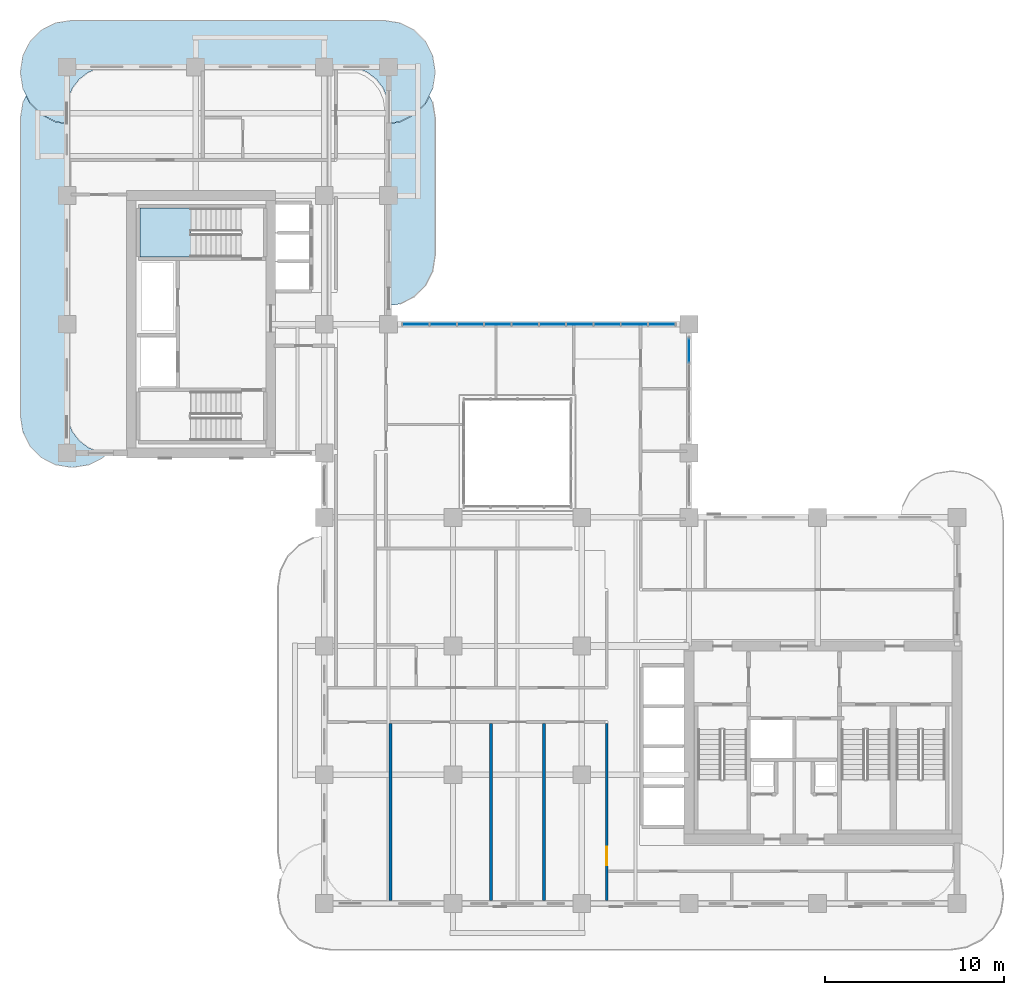
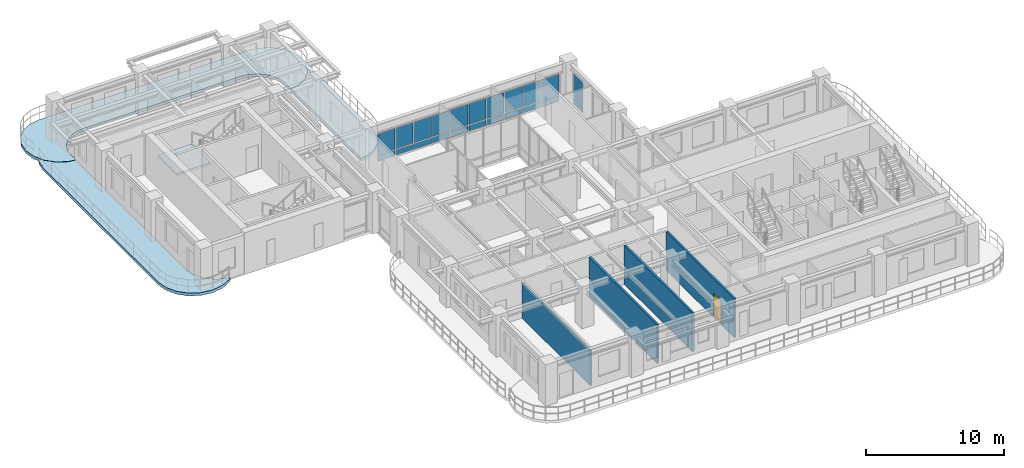
# One storey, part 10 of 20: 22 plates, 4 slabs, 4 walls, 1 door, 1 opening, 3 elements without a shape of their own.
"""IFC4 building model written with IfcOpenShell, lengths in metres."""

import ifcopenshell
import ifcopenshell.guid

model = None  # the IFC model being written
_history = None  # IfcOwnerHistory: only IFC2X3 demands one
_inside = {}  # id of a spatial element -> (the spatial element, [elements in it])
_under = {}  # id of a project, library or spatial element -> (it, [spatial elements below it])
_declared = {}  # id of a project -> (the project, [libraries it declares])
_typed = {}  # id of a type object -> (the type object, [elements of that type])
_made_of = {}  # id of a material, layer set ... -> (it, [elements and type objects made of it])


def new_model(schema):
    """Start an empty IFC model of exactly this schema.

    Asked for "IFC4X3", IfcOpenShell would pick the latest addendum, in which some entities
    have other attributes; the version numbers below select the first issue.
    IFC2X3 requires an IfcOwnerHistory on every rooted entity: one is made here for all.
    """
    global model, _history
    if schema == "IFC4X3":
        model = ifcopenshell.file(schema_version=(4, 3, 0, 0))
    else:
        model = ifcopenshell.file(schema=schema)
    _inside.clear()
    _under.clear()
    _declared.clear()
    _typed.clear()
    _made_of.clear()
    _history = None
    if model.schema == "IFC2X3":
        org = make("IfcOrganization", Name="unknown")
        user = make(
            "IfcPersonAndOrganization",
            ThePerson=make("IfcPerson", FamilyName="unknown"),
            TheOrganization=org,
        )
        app = make(
            "IfcApplication",
            ApplicationDeveloper=org,
            Version="unknown",
            ApplicationFullName="unknown",
            ApplicationIdentifier="unknown",
        )
        _history = make(
            "IfcOwnerHistory",
            OwningUser=user,
            OwningApplication=app,
            ChangeAction="ADDED",
            CreationDate=0,
        )
    return model


def make(cls, **values):
    """One entity of the class cls with the attributes given. An attribute that is None is left unset."""
    return model.create_entity(
        cls, **{name: value for name, value in values.items() if value is not None}
    )


def rooted(cls, **values):
    """An entity with a GlobalId (a new one), such as an element, a storey or a relation."""
    return make(cls, GlobalId=ifcopenshell.guid.new(), OwnerHistory=_history, **values)


def si_unit(unit_type, name, prefix=None):
    """IfcSIUnit, for example si_unit("LENGTHUNIT", "METRE", prefix="MILLI")."""
    return make("IfcSIUnit", UnitType=unit_type, Prefix=prefix, Name=name)


def derived_unit(unit_type, elements):
    """IfcDerivedUnit: a product of units, each with its exponent."""
    return make(
        "IfcDerivedUnit",
        Elements=[
            make("IfcDerivedUnitElement", Unit=unit, Exponent=power)
            for unit, power in elements
        ],
        UnitType=unit_type,
    )


def assignment(units):
    """IfcUnitAssignment: the units of a project."""
    return None if units is None else make("IfcUnitAssignment", Units=units)


def point(xyz):
    """IfcCartesianPoint."""
    return None if xyz is None else make("IfcCartesianPoint", Coordinates=xyz)


def direction(xyz):
    """IfcDirection."""
    return None if xyz is None else make("IfcDirection", DirectionRatios=xyz)


def frame(location, z_axis=None, x_axis=None):
    """IfcAxis2Placement3D, a coordinate frame: its origin and axes. An axis left out is left unset."""
    return make(
        "IfcAxis2Placement3D",
        Location=point(location),
        Axis=direction(z_axis),
        RefDirection=direction(x_axis),
    )


def frame_2d(location, x_axis=None):
    """IfcAxis2Placement2D, a coordinate frame in the plane: its origin and x axis."""
    return make(
        "IfcAxis2Placement2D", Location=point(location), RefDirection=direction(x_axis)
    )


def origin():
    """The frame at (0, 0, 0) with its axes left unset."""
    return frame((0.0, 0.0, 0.0))


def origin_2d():
    """The frame at (0, 0) in the plane with its x axis left unset."""
    return frame_2d((0.0, 0.0))


def place(relative_to, where):
    """IfcLocalPlacement: puts the frame where relative to a parent placement (None: the world)."""
    return make(
        "IfcLocalPlacement", PlacementRelTo=relative_to, RelativePlacement=where
    )


def context(
    kind, dimensions, precision=None, world=None, true_north=None, identifier=None
):
    """IfcGeometricRepresentationContext, for example the 3D "Model" context."""
    return make(
        "IfcGeometricRepresentationContext",
        ContextIdentifier=identifier,
        ContextType=kind,
        CoordinateSpaceDimension=dimensions,
        Precision=precision,
        WorldCoordinateSystem=world,
        TrueNorth=true_north,
    )


def subcontext(parent, identifier, kind, view, scale=None):
    """IfcGeometricRepresentationSubContext, for example "Body" below "Model"."""
    return make(
        "IfcGeometricRepresentationSubContext",
        ContextIdentifier=identifier,
        ContextType=kind,
        ParentContext=parent,
        TargetScale=scale,
        TargetView=view,
    )


def project(units=None, contexts=None):
    """IfcProject with its units and contexts."""
    return rooted(
        "IfcProject",
        Name="project",
        RepresentationContexts=contexts,
        UnitsInContext=assignment(units),
    )


def spatial(cls, under=None, at=None, **own):
    """A site, building, storey or space (cls), placed at a placement, below another one or the project."""
    s = rooted(cls, ObjectPlacement=at, **own)
    if under is not None:
        _under.setdefault(under.id(), (under, []))[1].append(s)
    return s


def polyline(points):
    """IfcPolyline through the points."""
    return make("IfcPolyline", Points=[point(p) for p in points])


def profile(cls, at=None, kind="AREA", **sizes):
    """A parametric profile (cls). Its sizes go by their IFC names, for example OverallWidth=200.0."""
    return make(cls, ProfileType=kind, Position=at, **sizes)


def rectangle(**sizes):
    """IfcRectangleProfileDef."""
    return profile("IfcRectangleProfileDef", **sizes)


def outline(outer, holes=None, kind="AREA"):
    """IfcArbitraryClosedProfileDef: a profile drawn as a closed curve; with holes, ...WithVoids."""
    if holes is None:
        return make("IfcArbitraryClosedProfileDef", ProfileType=kind, OuterCurve=outer)
    return make(
        "IfcArbitraryProfileDefWithVoids",
        ProfileType=kind,
        OuterCurve=outer,
        InnerCurves=holes,
    )


def extrude(swept, where, along, depth):
    """IfcExtrudedAreaSolid: the profile swept, set in the frame where, extruded along a direction by depth."""
    return make(
        "IfcExtrudedAreaSolid",
        SweptArea=swept,
        Position=where,
        ExtrudedDirection=direction(along),
        Depth=depth,
    )


def shape(context_of_items, identifier, shape_type, items):
    """IfcShapeRepresentation: the items that make up one representation, for example the "Body"."""
    return make(
        "IfcShapeRepresentation",
        ContextOfItems=context_of_items,
        RepresentationIdentifier=identifier,
        RepresentationType=shape_type,
        Items=items,
    )


def source(mapping_origin, context_of_items, identifier, shape_type, items):
    """IfcRepresentationMap: a shape defined once, which mapped items show again and again."""
    return make(
        "IfcRepresentationMap",
        MappingOrigin=mapping_origin,
        MappedRepresentation=shape(context_of_items, identifier, shape_type, items),
    )


def transform(
    local_origin,
    x_axis=None,
    y_axis=None,
    z_axis=None,
    scale=None,
    scale2=None,
    scale3=None,
    uniform=True,
):
    """IfcCartesianTransformationOperator3D, or its non-uniform kind. x_axis, y_axis, z_axis: its Axis1, 2, 3."""
    if uniform:
        return make(
            "IfcCartesianTransformationOperator3D",
            Axis1=direction(x_axis),
            Axis2=direction(y_axis),
            LocalOrigin=point(local_origin),
            Scale=scale,
            Axis3=direction(z_axis),
        )
    return make(
        "IfcCartesianTransformationOperator3DnonUniform",
        Axis1=direction(x_axis),
        Axis2=direction(y_axis),
        LocalOrigin=point(local_origin),
        Scale=scale,
        Axis3=direction(z_axis),
        Scale2=scale2,
        Scale3=scale3,
    )


def mapped(mapping_source, mapping_target):
    """IfcMappedItem: shows the shape of a source again, moved by a transform."""
    return make(
        "IfcMappedItem", MappingSource=mapping_source, MappingTarget=mapping_target
    )


def material(Name=None, Category=None):
    """IfcMaterial."""
    return make("IfcMaterial", Name=Name, Category=Category)


def layer(
    of_material, thickness, ventilated=None, Name=None, Category=None, Priority=None
):
    """IfcMaterialLayer: one layer of a wall or slab, of a material (None: an air gap)."""
    return make(
        "IfcMaterialLayer",
        Material=of_material,
        LayerThickness=thickness,
        IsVentilated=ventilated,
        Name=Name,
        Category=Category,
        Priority=Priority,
    )


def layer_set(layers, Name=None):
    """IfcMaterialLayerSet."""
    return make("IfcMaterialLayerSet", MaterialLayers=layers, LayerSetName=Name)


def made_of(thing, what):
    """Note that an element or type object is made of a material, layer set ...; save() writes the relation."""
    if what is not None:
        _made_of.setdefault(what.id(), (what, []))[1].append(thing)
    return thing


def type_object(cls, material=None, **own):
    """A type object (cls), such as IfcWallType, which elements share."""
    return made_of(rooted(cls, **own), material)


def type_shapes(of_type, sources):
    """Give a type object the sources (RepresentationMaps) that its elements show as mapped items."""
    of_type.RepresentationMaps = sources


def element(
    cls,
    number,
    at=None,
    inside=None,
    cuts=None,
    type_object=None,
    material=None,
    context=None,
    identifier="Body",
    shape_type=None,
    held_by="IfcProductDefinitionShape",
    body=None,
    shapes=None,
    **own,
):
    """One element of the class cls, such as IfcWall. Its Tag is "e" and its number.

    at: its placement. inside: the storey or other place that contains it. cuts: it is an
    opening in that element (IfcRelVoidsElement). A single representation is given by context,
    identifier, shape_type and body (its items); several are given by shapes. held_by: the class
    of the entity that holds the representations. save() writes the other relations.
    """
    e = rooted(cls, Tag="e%d" % number, ObjectPlacement=at, **own)
    if body is not None:
        shapes = [shape(context, identifier, shape_type, body)]
    if shapes is not None:
        e.Representation = make(held_by, Representations=shapes)
    if inside is not None:
        _inside.setdefault(inside.id(), (inside, []))[1].append(e)
    if cuts is not None:
        rooted(
            "IfcRelVoidsElement", RelatingBuildingElement=cuts, RelatedOpeningElement=e
        )
    if type_object is not None:
        _typed.setdefault(type_object.id(), (type_object, []))[1].append(e)
    return made_of(e, material)


def fill(opening, filler):
    """IfcRelFillsElement: the door or window that sits in an opening."""
    return rooted(
        "IfcRelFillsElement",
        RelatingOpeningElement=opening,
        RelatedBuildingElement=filler,
    )


def aggregate(whole, parts):
    """IfcRelAggregates: a whole, such as a stair, and the parts it consists of."""
    return rooted("IfcRelAggregates", RelatingObject=whole, RelatedObjects=parts)


def save(model, path):
    """Write the relations noted so far, then the file.

    IfcRelAggregates (storeys below a building ...), IfcRelContainedInSpatialStructure (elements
    in a storey), IfcRelDefinesByType, IfcRelAssociatesMaterial and IfcRelDeclares: one each for
    every whole, place, type object, material and project.
    """
    for whole, parts in _under.values():
        aggregate(whole, parts)
    for where, things in _inside.values():
        rooted(
            "IfcRelContainedInSpatialStructure",
            RelatedElements=things,
            RelatingStructure=where,
        )
    for kind, things in _typed.values():
        rooted("IfcRelDefinesByType", RelatedObjects=things, RelatingType=kind)
    for what, things in _made_of.values():
        rooted("IfcRelAssociatesMaterial", RelatedObjects=things, RelatingMaterial=what)
    for by, libraries in _declared.values():
        rooted("IfcRelDeclares", RelatingContext=by, RelatedDefinitions=libraries)
    model.write(path)


model = new_model("IFC4")

# Units and contexts
model_context = context("Model", 3, precision=1e-05, world=origin(), true_north=direction((0.0, 1.0)))
body_context = subcontext(model_context, "Body", "Model", "MODEL_VIEW")
ifc_project = project(units=[si_unit("LENGTHUNIT", "METRE"), si_unit("AREAUNIT", "SQUARE_METRE"), si_unit("VOLUMEUNIT", "CUBIC_METRE"), si_unit("PLANEANGLEUNIT", "RADIAN"), si_unit("MASSUNIT", "GRAM", prefix="KILO"), si_unit("THERMODYNAMICTEMPERATUREUNIT", "KELVIN"), si_unit("POWERUNIT", "WATT"), derived_unit("THERMALTRANSMITTANCEUNIT", [(si_unit("POWERUNIT", "WATT"), 1), (si_unit("AREAUNIT", "SQUARE_METRE"), -1), (si_unit("THERMODYNAMICTEMPERATUREUNIT", "KELVIN"), -1)])], contexts=[model_context])

# Site, building, storey
site_placement = place(None, origin())
site = spatial("IfcSite", under=ifc_project, at=site_placement, CompositionType="ELEMENT")
building_placement = place(site_placement, origin())
building = spatial("IfcBuilding", under=site, at=building_placement, Name="Zahravan Archway Hotel and Residences", CompositionType="ELEMENT")
storey_placement = place(building_placement, frame((0.0, 0.0, 137.699951171875)))
storey = spatial("IfcBuildingStorey", under=building, at=storey_placement, Name="L34", CompositionType="ELEMENT", Elevation=137.699951171875)

# Slabs
ifc_material_1 = material(Name="Concrete C45/55", Category="concrete")
ifc_layer_1 = layer(ifc_material_1, 0.25, Name="Concrete C45/55", Category="concrete")
ifc_layer_set_1 = layer_set([ifc_layer_1], Name="Concrete C45/55")
slab_type_1 = type_object("IfcSlabType", Name="SLB-BALC-250", PredefinedType="FLOOR", material=ifc_layer_set_1)
slab_1_placement = place(storey_placement, frame((0.0, 0.0, -0.25)))
element("IfcSlab", 1, at=slab_1_placement, inside=storey, type_object=slab_type_1, Name="L34 Wing B North Rounded Balcony Band", PredefinedType="FLOOR", context=body_context, shape_type="SweptSolid", body=[
    extrude(outline(polyline([(-0.630615234375, 43.739501953125), (-1.42529296875, 44.144287109375), (-2.0556640625, 44.77490234375), (-2.46044921875, 45.5693359375), (-2.60009765625, 46.449951171875), (-2.60009765625, 46.550048828125), (-2.46044921875, 47.4306640625), (-2.0556640625, 48.22509765625), (-1.42529296875, 48.855712890625), (-0.630615234375, 49.260498046875), (0.25, 49.39990234375), (17.75, 49.39990234375), (18.630615234375, 49.260498046875), (19.42529296875, 48.855712890625), (20.0556640625, 48.22509765625), (20.46044921875, 47.4306640625), (20.60009765625, 46.550048828125), (20.60009765625, 46.449951171875), (20.46044921875, 45.5693359375), (20.0556640625, 44.77490234375), (19.42529296875, 44.144287109375), (18.630615234375, 43.739501953125), (18.02001953125, 43.642822265625), (18.02001953125, 44.39990234375), (18.019775390625, 44.402587890625), (17.93798828125, 45.023681640625), (17.937744140625, 45.025390625), (17.937255859375, 45.027099609375), (17.936767578125, 45.02880859375), (17.697021484375, 45.607666015625), (17.6962890625, 45.609130859375), (17.6953125, 45.610595703125), (17.6943359375, 45.6123046875), (17.31298828125, 46.109375), (17.311767578125, 46.110595703125), (17.310546875, 46.11181640625), (17.309326171875, 46.113037109375), (16.812255859375, 46.494384765625), (16.810791015625, 46.495361328125), (16.80908203125, 46.49609375), (16.8076171875, 46.4970703125), (16.22900390625, 46.73681640625), (16.227294921875, 46.7373046875), (16.2255859375, 46.73779296875), (16.223876953125, 46.738037109375), (15.6025390625, 46.81982421875), (15.60009765625, 46.820068359375), (2.39990234375, 46.820068359375), (2.3974609375, 46.81982421875), (1.776123046875, 46.738037109375), (1.7744140625, 46.73779296875), (1.772705078125, 46.7373046875), (1.77099609375, 46.73681640625), (1.1923828125, 46.4970703125), (1.19091796875, 46.49609375), (1.189208984375, 46.495361328125), (1.187744140625, 46.494384765625), (0.690673828125, 46.113037109375), (0.689453125, 46.11181640625), (0.688232421875, 46.110595703125), (0.68701171875, 46.109375), (0.3056640625, 45.6123046875), (0.3046875, 45.610595703125), (0.3037109375, 45.609130859375), (0.302978515625, 45.607666015625), (0.063232421875, 45.02880859375), (0.062744140625, 45.027099609375), (0.062255859375, 45.025390625), (0.06201171875, 45.023681640625), (-0.019775390625, 44.402587890625), (-0.02001953125, 44.39990234375), (-0.02001953125, 43.642822265625), (-0.630615234375, 43.739501953125)])), origin(), (0.0, 0.0, 1.0), 0.25),
])
slab_2_placement = place(storey_placement, frame((0.0, 0.0, -0.25)))
element("IfcSlab", 2, at=slab_2_placement, inside=storey, type_object=slab_type_1, Name="L34 Wing B West Rounded Balcony Band", PredefinedType="FLOOR", context=body_context, shape_type="SweptSolid", body=[
    extrude(outline(polyline([(2.025146484375, 24.9443359375), (1.230712890625, 24.53955078125), (0.35009765625, 24.39990234375), (0.25, 24.39990234375), (-0.630615234375, 24.53955078125), (-1.42529296875, 24.9443359375), (-2.0556640625, 25.57470703125), (-2.46044921875, 26.369384765625), (-2.60009765625, 27.25), (-2.60009765625, 43.949951171875), (-2.46044921875, 44.830810546875), (-2.28369140625, 45.177978515625), (-2.073486328125, 44.765625), (-2.072509765625, 44.763916015625), (-2.0712890625, 44.76220703125), (-2.06982421875, 44.7607421875), (-1.439208984375, 44.130126953125), (-1.437744140625, 44.12890625), (-1.43603515625, 44.12744140625), (-1.434326171875, 44.12646484375), (-0.639892578125, 43.7216796875), (-0.637939453125, 43.720703125), (-0.635986328125, 43.72021484375), (-0.6337890625, 43.7197265625), (-0.023193359375, 43.623046875), (-0.021240234375, 43.622802734375), (-0.02001953125, 43.622802734375), (-0.02001953125, 27.60009765625), (-0.019775390625, 27.597412109375), (0.06201171875, 26.976318359375), (0.062255859375, 26.974609375), (0.062744140625, 26.972900390625), (0.063232421875, 26.97119140625), (0.302978515625, 26.392333984375), (0.3037109375, 26.390869140625), (0.3046875, 26.389404296875), (0.3056640625, 26.3876953125), (0.68701171875, 25.890625), (0.688232421875, 25.889404296875), (0.689453125, 25.88818359375), (0.690673828125, 25.886962890625), (1.187744140625, 25.505615234375), (1.189208984375, 25.504638671875), (1.19091796875, 25.50390625), (1.1923828125, 25.5029296875), (1.77099609375, 25.26318359375), (1.772705078125, 25.2626953125), (1.7744140625, 25.26220703125), (1.776123046875, 25.261962890625), (2.27685546875, 25.196044921875), (2.025146484375, 24.9443359375)])), origin(), (0.0, 0.0, 1.0), 0.25),
])
slab_3_placement = place(storey_placement, frame((0.0, 0.0, -0.25)))
element("IfcSlab", 3, at=slab_3_placement, inside=storey, type_object=slab_type_1, Name="L34 Wing B East Rounded Balcony Band", PredefinedType="FLOOR", context=body_context, shape_type="SweptSolid", body=[
    extrude(outline(polyline([(20.46044921875, 44.830810546875), (20.60009765625, 43.949951171875), (20.60009765625, 36.25), (20.46044921875, 35.369384765625), (20.0556640625, 34.57470703125), (19.42529296875, 33.9443359375), (18.630615234375, 33.53955078125), (18.02001953125, 33.44287109375), (18.02001953125, 43.622802734375), (18.021240234375, 43.622802734375), (18.023193359375, 43.623046875), (18.6337890625, 43.7197265625), (18.635986328125, 43.72021484375), (18.637939453125, 43.720703125), (18.639892578125, 43.7216796875), (19.434326171875, 44.12646484375), (19.43603515625, 44.12744140625), (19.437744140625, 44.12890625), (19.439208984375, 44.130126953125), (20.06982421875, 44.7607421875), (20.0712890625, 44.76220703125), (20.072509765625, 44.763916015625), (20.073486328125, 44.765625), (20.28369140625, 45.177978515625), (20.46044921875, 44.830810546875)])), origin(), (0.0, 0.0, 1.0), 0.25),
])

# Stair, slab
ifc_material_2 = material(Name="Concrete C50/60", Category="concrete")
stair_type = type_object("IfcStairType", Name="STR-CORE-1300", PredefinedType="HALF_TURN_STAIR", material=ifc_material_2)
stair_placement = place(storey_placement, origin())
stair = element("IfcStair", 4, at=stair_placement, inside=storey, type_object=stair_type, Name="L34 Core B Exit Stair 2", PredefinedType="HALF_TURN_STAIR")
ifc_layer_2 = layer(ifc_material_2, 0.199951171875, Name="Concrete C50/60", Category="concrete")
ifc_layer_set_2 = layer_set([ifc_layer_2], Name="Concrete C50/60")
slab_type_2 = type_object("IfcSlabType", Name="SLB-LND-200", PredefinedType="LANDING", material=ifc_layer_set_2)
slab_4_placement = place(storey_placement, frame((0.0, 0.0, 1.650146484375)))
slab_4 = element("IfcSlab", 5, at=slab_4_placement, type_object=slab_type_2, Name="ST-B2 landing 1", PredefinedType="LANDING", context=body_context, shape_type="SweptSolid", body=[
    extrude(outline(polyline([(6.929931640625, 38.89990234375), (4.10009765625, 38.89990234375), (4.10009765625, 36.159912109375), (6.929931640625, 36.159912109375), (6.929931640625, 38.89990234375)])), origin(), (0.0, 0.0, 1.0), 0.199951171875),
])
aggregate(stair, [slab_4])

# Curtain wall, plates
ifc_material_3 = material(Name="Bronze-Anodized Unitised Aluminium & Low-E Glass", Category="aluminium")
ifc_layer_3 = layer(ifc_material_3, 0.179931640625, Name="Bronze-Anodized Unitised Aluminium & Low-E Glass", Category="aluminium")
ifc_layer_set_3 = layer_set([ifc_layer_3], Name="Bronze-Anodized Unitised Aluminium & Low-E Glass")
curtain_wall_type = type_object("IfcCurtainWallType", Name="CW-ATR-GLAZ", PredefinedType="NOTDEFINED", material=ifc_layer_set_3)
curtain_wall_1_placement = place(storey_placement, origin())
curtain_wall_1 = element("IfcCurtainWall", 6, at=curtain_wall_1_placement, inside=storey, type_object=curtain_wall_type, Name="L34 Curtain Wall CW-L34-HNG-N-1", PredefinedType="NOTDEFINED")
ifc_material_4 = material(Name="Insulated Terracotta Spandrel Panel", Category="masonry")
ifc_layer_4 = layer(ifc_material_4, 0.0400390625, Name="Insulated Terracotta Spandrel Panel", Category="masonry")
ifc_layer_set_4 = layer_set([ifc_layer_4], Name="Insulated Terracotta Spandrel Panel")
plate_type_1 = type_object("IfcPlateType", Name="CWP-SPN-40", PredefinedType="SHEET", material=ifc_layer_set_4)
shared_shape_1 = source(origin(), body_context, "Body", "SweptSolid", [
    extrude(rectangle(XDim=1.447998046875, YDim=0.0400390625, at=origin_2d()), origin(), (0.0, 0.0, 1.0), 0.492431640625),
])
plate_1_placement = place(storey_placement, frame((19.52392578125, 32.39990234375, 0.10009765625), z_axis=(0.0, 0.0, 1.0), x_axis=(1.0, 0.0, 0.0)))
plate_1 = element("IfcPlate", 7, at=plate_1_placement, type_object=plate_type_1, Name="CW-L34-HNG-N-1 Spandrel Panel 0", PredefinedType="SHEET", context=body_context, shape_type="MappedRepresentation", body=[
    mapped(shared_shape_1, transform((0.0, 0.0, 0.0), scale=1.0)),
])
plate_2_placement = place(storey_placement, frame((21.052001953125, 32.39990234375, 0.10009765625), z_axis=(0.0, 0.0, 1.0), x_axis=(1.0, 0.0, 0.0)))
plate_2 = element("IfcPlate", 8, at=plate_2_placement, type_object=plate_type_1, Name="CW-L34-HNG-N-1 Spandrel Panel 1", PredefinedType="SHEET", context=body_context, shape_type="MappedRepresentation", body=[
    mapped(shared_shape_1, transform((0.0, 0.0, 0.0), scale=1.0)),
])
plate_3_placement = place(storey_placement, frame((22.580078125, 32.39990234375, 0.10009765625), z_axis=(0.0, 0.0, 1.0), x_axis=(1.0, 0.0, 0.0)))
plate_3 = element("IfcPlate", 9, at=plate_3_placement, type_object=plate_type_1, Name="CW-L34-HNG-N-1 Spandrel Panel 2", PredefinedType="SHEET", context=body_context, shape_type="MappedRepresentation", body=[
    mapped(shared_shape_1, transform((0.0, 0.0, 0.0), scale=1.0)),
])
plate_4_placement = place(storey_placement, frame((24.10791015625, 32.39990234375, 0.10009765625), z_axis=(0.0, 0.0, 1.0), x_axis=(1.0, 0.0, 0.0)))
plate_4 = element("IfcPlate", 10, at=plate_4_placement, type_object=plate_type_1, Name="CW-L34-HNG-N-1 Spandrel Panel 3", PredefinedType="SHEET", context=body_context, shape_type="MappedRepresentation", body=[
    mapped(shared_shape_1, transform((0.0, 0.0, 0.0), scale=1.0)),
])
plate_5_placement = place(storey_placement, frame((25.635986328125, 32.39990234375, 0.10009765625), z_axis=(0.0, 0.0, 1.0), x_axis=(1.0, 0.0, 0.0)))
plate_5 = element("IfcPlate", 11, at=plate_5_placement, type_object=plate_type_1, Name="CW-L34-HNG-N-1 Spandrel Panel 4", PredefinedType="SHEET", context=body_context, shape_type="MappedRepresentation", body=[
    mapped(shared_shape_1, transform((0.0, 0.0, 0.0), scale=1.0)),
])
plate_6_placement = place(storey_placement, frame((27.1640625, 32.39990234375, 0.10009765625), z_axis=(0.0, 0.0, 1.0), x_axis=(1.0, 0.0, 0.0)))
plate_6 = element("IfcPlate", 12, at=plate_6_placement, type_object=plate_type_1, Name="CW-L34-HNG-N-1 Spandrel Panel 5", PredefinedType="SHEET", context=body_context, shape_type="MappedRepresentation", body=[
    mapped(shared_shape_1, transform((0.0, 0.0, 0.0), scale=1.0)),
])
plate_7_placement = place(storey_placement, frame((28.69189453125, 32.39990234375, 0.10009765625), z_axis=(0.0, 0.0, 1.0), x_axis=(1.0, 0.0, 0.0)))
plate_7 = element("IfcPlate", 13, at=plate_7_placement, type_object=plate_type_1, Name="CW-L34-HNG-N-1 Spandrel Panel 6", PredefinedType="SHEET", context=body_context, shape_type="MappedRepresentation", body=[
    mapped(shared_shape_1, transform((0.0, 0.0, 0.0), scale=1.0)),
])
plate_8_placement = place(storey_placement, frame((30.219970703125, 32.39990234375, 0.10009765625), z_axis=(0.0, 0.0, 1.0), x_axis=(1.0, 0.0, 0.0)))
plate_8 = element("IfcPlate", 14, at=plate_8_placement, type_object=plate_type_1, Name="CW-L34-HNG-N-1 Spandrel Panel 7", PredefinedType="SHEET", context=body_context, shape_type="MappedRepresentation", body=[
    mapped(shared_shape_1, transform((0.0, 0.0, 0.0), scale=1.0)),
])
plate_9_placement = place(storey_placement, frame((31.748046875, 32.39990234375, 0.10009765625), z_axis=(0.0, 0.0, 1.0), x_axis=(1.0, 0.0, 0.0)))
plate_9 = element("IfcPlate", 15, at=plate_9_placement, type_object=plate_type_1, Name="CW-L34-HNG-N-1 Spandrel Panel 8", PredefinedType="SHEET", context=body_context, shape_type="MappedRepresentation", body=[
    mapped(shared_shape_1, transform((0.0, 0.0, 0.0), scale=1.0)),
])
plate_10_placement = place(storey_placement, frame((33.27587890625, 32.39990234375, 0.10009765625), z_axis=(0.0, 0.0, 1.0), x_axis=(1.0, 0.0, 0.0)))
plate_10 = element("IfcPlate", 16, at=plate_10_placement, type_object=plate_type_1, Name="CW-L34-HNG-N-1 Spandrel Panel 9", PredefinedType="SHEET", context=body_context, shape_type="MappedRepresentation", body=[
    mapped(shared_shape_1, transform((0.0, 0.0, 0.0), scale=1.0)),
])
ifc_material_5 = material(Name="Double-Silver Low-E Insulated Vision Glass", Category="glass")
ifc_layer_5 = layer(ifc_material_5, 0.028076171875, Name="Double-Silver Low-E Insulated Vision Glass", Category="glass")
ifc_layer_set_5 = layer_set([ifc_layer_5], Name="Double-Silver Low-E Insulated Vision Glass")
plate_type_2 = type_object("IfcPlateType", Name="CWP-GLZ-28", PredefinedType="CURTAIN_PANEL", material=ifc_layer_set_5)
shared_shape_2 = source(origin(), body_context, "Body", "SweptSolid", [
    extrude(rectangle(XDim=1.447998046875, YDim=0.028076171875, at=origin_2d()), origin(), (0.0, 0.0, 1.0), 1.862548828125),
])
plate_11_placement = place(storey_placement, frame((19.52392578125, 32.39990234375, 0.67236328125), z_axis=(0.0, 0.0, 1.0), x_axis=(1.0, 0.0, 0.0)))
plate_11 = element("IfcPlate", 17, at=plate_11_placement, type_object=plate_type_2, Name="CW-L34-HNG-N-1 Low-E Vision Panel 0", PredefinedType="CURTAIN_PANEL", context=body_context, shape_type="MappedRepresentation", body=[
    mapped(shared_shape_2, transform((0.0, 0.0, 0.0), scale=1.0)),
])
plate_12_placement = place(storey_placement, frame((21.052001953125, 32.39990234375, 0.67236328125), z_axis=(0.0, 0.0, 1.0), x_axis=(1.0, 0.0, 0.0)))
plate_12 = element("IfcPlate", 18, at=plate_12_placement, type_object=plate_type_2, Name="CW-L34-HNG-N-1 Low-E Vision Panel 1", PredefinedType="CURTAIN_PANEL", context=body_context, shape_type="MappedRepresentation", body=[
    mapped(shared_shape_2, transform((0.0, 0.0, 0.0), scale=1.0)),
])
plate_13_placement = place(storey_placement, frame((22.580078125, 32.39990234375, 0.67236328125), z_axis=(0.0, 0.0, 1.0), x_axis=(1.0, 0.0, 0.0)))
plate_13 = element("IfcPlate", 19, at=plate_13_placement, type_object=plate_type_2, Name="CW-L34-HNG-N-1 Low-E Vision Panel 2", PredefinedType="CURTAIN_PANEL", context=body_context, shape_type="MappedRepresentation", body=[
    mapped(shared_shape_2, transform((0.0, 0.0, 0.0), scale=1.0)),
])
plate_14_placement = place(storey_placement, frame((24.10791015625, 32.39990234375, 0.67236328125), z_axis=(0.0, 0.0, 1.0), x_axis=(1.0, 0.0, 0.0)))
plate_14 = element("IfcPlate", 20, at=plate_14_placement, type_object=plate_type_2, Name="CW-L34-HNG-N-1 Low-E Vision Panel 3", PredefinedType="CURTAIN_PANEL", context=body_context, shape_type="MappedRepresentation", body=[
    mapped(shared_shape_2, transform((0.0, 0.0, 0.0), scale=1.0)),
])
plate_15_placement = place(storey_placement, frame((25.635986328125, 32.39990234375, 0.67236328125), z_axis=(0.0, 0.0, 1.0), x_axis=(1.0, 0.0, 0.0)))
plate_15 = element("IfcPlate", 21, at=plate_15_placement, type_object=plate_type_2, Name="CW-L34-HNG-N-1 Low-E Vision Panel 4", PredefinedType="CURTAIN_PANEL", context=body_context, shape_type="MappedRepresentation", body=[
    mapped(shared_shape_2, transform((0.0, 0.0, 0.0), scale=1.0)),
])
plate_16_placement = place(storey_placement, frame((27.1640625, 32.39990234375, 0.67236328125), z_axis=(0.0, 0.0, 1.0), x_axis=(1.0, 0.0, 0.0)))
plate_16 = element("IfcPlate", 22, at=plate_16_placement, type_object=plate_type_2, Name="CW-L34-HNG-N-1 Low-E Vision Panel 5", PredefinedType="CURTAIN_PANEL", context=body_context, shape_type="MappedRepresentation", body=[
    mapped(shared_shape_2, transform((0.0, 0.0, 0.0), scale=1.0)),
])
plate_17_placement = place(storey_placement, frame((28.69189453125, 32.39990234375, 0.67236328125), z_axis=(0.0, 0.0, 1.0), x_axis=(1.0, 0.0, 0.0)))
plate_17 = element("IfcPlate", 23, at=plate_17_placement, type_object=plate_type_2, Name="CW-L34-HNG-N-1 Low-E Vision Panel 6", PredefinedType="CURTAIN_PANEL", context=body_context, shape_type="MappedRepresentation", body=[
    mapped(shared_shape_2, transform((0.0, 0.0, 0.0), scale=1.0)),
])
plate_18_placement = place(storey_placement, frame((30.219970703125, 32.39990234375, 0.67236328125), z_axis=(0.0, 0.0, 1.0), x_axis=(1.0, 0.0, 0.0)))
plate_18 = element("IfcPlate", 24, at=plate_18_placement, type_object=plate_type_2, Name="CW-L34-HNG-N-1 Low-E Vision Panel 7", PredefinedType="CURTAIN_PANEL", context=body_context, shape_type="MappedRepresentation", body=[
    mapped(shared_shape_2, transform((0.0, 0.0, 0.0), scale=1.0)),
])
plate_19_placement = place(storey_placement, frame((31.748046875, 32.39990234375, 0.67236328125), z_axis=(0.0, 0.0, 1.0), x_axis=(1.0, 0.0, 0.0)))
plate_19 = element("IfcPlate", 25, at=plate_19_placement, type_object=plate_type_2, Name="CW-L34-HNG-N-1 Low-E Vision Panel 8", PredefinedType="CURTAIN_PANEL", context=body_context, shape_type="MappedRepresentation", body=[
    mapped(shared_shape_2, transform((0.0, 0.0, 0.0), scale=1.0)),
])
plate_20_placement = place(storey_placement, frame((33.27587890625, 32.39990234375, 0.67236328125), z_axis=(0.0, 0.0, 1.0), x_axis=(1.0, 0.0, 0.0)))
plate_20 = element("IfcPlate", 26, at=plate_20_placement, type_object=plate_type_2, Name="CW-L34-HNG-N-1 Low-E Vision Panel 9", PredefinedType="CURTAIN_PANEL", context=body_context, shape_type="MappedRepresentation", body=[
    mapped(shared_shape_2, transform((0.0, 0.0, 0.0), scale=1.0)),
])
aggregate(curtain_wall_1, [plate_1, plate_11, plate_2, plate_12, plate_3, plate_13, plate_4, plate_14, plate_5, plate_15, plate_6, plate_16, plate_7, plate_17, plate_8, plate_18, plate_9, plate_19, plate_10, plate_20])

curtain_wall_2_placement = place(storey_placement, origin())
curtain_wall_2 = element("IfcCurtainWall", 27, at=curtain_wall_2_placement, inside=storey, type_object=curtain_wall_type, Name="L34 Curtain Wall CW-L34-HNG-E-2", PredefinedType="NOTDEFINED")
shared_shape_3 = source(origin(), body_context, "Body", "SweptSolid", [
    extrude(rectangle(XDim=1.340087890625, YDim=0.0400390625, at=origin_2d()), origin(), (0.0, 0.0, 1.0), 0.564453125),
])
plate_21_placement = place(storey_placement, frame((34.800048828125, 30.929931640625, 0.10009765625), z_axis=(0.0, 0.0, 1.0), x_axis=(0.0, 1.0, 0.0)))
plate_21 = element("IfcPlate", 28, at=plate_21_placement, type_object=plate_type_1, Name="CW-L34-HNG-E-2 Spandrel Panel 3", PredefinedType="SHEET", context=body_context, shape_type="MappedRepresentation", body=[
    mapped(shared_shape_3, transform((0.0, 0.0, 0.0), scale=1.0)),
])
shared_shape_4 = source(origin(), body_context, "Body", "SweptSolid", [
    extrude(rectangle(XDim=1.340087890625, YDim=0.028076171875, at=origin_2d()), origin(), (0.0, 0.0, 1.0), 2.090576171875),
])
plate_22_placement = place(storey_placement, frame((34.800048828125, 30.929931640625, 0.74462890625), z_axis=(0.0, 0.0, 1.0), x_axis=(0.0, 1.0, 0.0)))
plate_22 = element("IfcPlate", 29, at=plate_22_placement, type_object=plate_type_2, Name="CW-L34-HNG-E-2 Low-E Vision Panel 3", PredefinedType="CURTAIN_PANEL", context=body_context, shape_type="MappedRepresentation", body=[
    mapped(shared_shape_4, transform((0.0, 0.0, 0.0), scale=1.0)),
])
aggregate(curtain_wall_2, [plate_21, plate_22])

# Wall, opening, door
ifc_material_6 = material(Name="Fire-Rated Gypsum & Concrete Block", Category="concrete")
ifc_layer_6 = layer(ifc_material_6, 0.159912109375, Name="Fire-Rated Gypsum & Concrete Block", Category="concrete")
ifc_layer_set_6 = layer_set([ifc_layer_6], Name="Fire-Rated Gypsum & Concrete Block")
wall_type_1 = type_object("IfcWallType", Name="PW-CORR-160", PredefinedType="PARTITIONING", material=ifc_layer_set_6)
wall_1_placement = place(storey_placement, frame((30.199951171875, 0.16796875, 0.0), z_axis=(0.0, 0.0, 1.0), x_axis=(0.0, 1.0, 0.0)))
wall_1 = element("IfcWall", 30, at=wall_1_placement, inside=storey, type_object=wall_type_1, Name="L34 Partition WA-SRW", PredefinedType="PARTITIONING", context=body_context, shape_type="SweptSolid", body=[
    extrude(rectangle(XDim=9.89208984375, YDim=0.159912109375, at=frame_2d((4.946044921875, 0.0))), origin(), (0.0, 0.0, 1.0), 3.449951171875),
])
opening_placement = place(wall_1_placement, frame((1.95703125, 0.0, 0.0)))
opening = element("IfcOpeningElement", 31, at=opening_placement, cuts=wall_1, Name="Opening FD-L2", PredefinedType="OPENING", context=body_context, shape_type="SweptSolid", body=[
    extrude(rectangle(XDim=1.050048828125, YDim=2.14990234375, at=frame_2d((0.52490234375, 1.074951171875))), frame((0.0, 0.08984375, 0.0), z_axis=(0.0, -1.0, 0.0), x_axis=(1.0, 0.0, 0.0)), (0.0, 0.0, 1.0), 0.179931640625),
])
ifc_material_7 = material(Name="Fire-Rated Painted Steel", Category="steel")
door_type = type_object("IfcDoorType", Name="FD-LOBBY-1100", OperationType="NOTDEFINED", PredefinedType="DOOR", material=ifc_material_7)
shared_shape_5 = source(origin(), body_context, "Body", "SweptSolid", [
    extrude(rectangle(XDim=1.050048828125, YDim=2.14990234375, at=frame_2d((0.52490234375, 1.074951171875))), frame((0.0, 0.02490234375, 0.0), z_axis=(0.0, -1.0, 0.0), x_axis=(1.0, 0.0, 0.0)), (0.0, 0.0, 1.0), 0.050048828125),
])
type_shapes(door_type, [shared_shape_5])
door_placement = place(opening_placement, origin())
door = element("IfcDoor", 32, at=door_placement, inside=storey, type_object=door_type, Name="L34 South Riser Corridor Door", OperationType="SINGLE_SWING_RIGHT", OverallHeight=2.14990234375, OverallWidth=1.050048828125, PredefinedType="DOOR", context=body_context, shape_type="MappedRepresentation", body=[
    mapped(shared_shape_5, transform((0.0, 0.0, 0.0), scale=1.0)),
])
fill(opening, door)

# Walls
ifc_material_8 = material(Name="Acoustic Stud Partition")
ifc_layer_7 = layer(ifc_material_8, 0.169921875, Name="Acoustic Stud Partition")
ifc_layer_set_7 = layer_set([ifc_layer_7], Name="Acoustic Stud Partition")
wall_type_2 = type_object("IfcWallType", Name="PW-UNIT-170", PredefinedType="PARTITIONING", material=ifc_layer_set_7)
wall_2_placement = place(storey_placement, frame((18.10009765625, 0.16796875, 0.0), z_axis=(0.0, 0.0, 1.0), x_axis=(0.0, 1.0, 0.0)))
element("IfcWall", 33, at=wall_2_placement, inside=storey, type_object=wall_type_2, Name="L34 Partition WAS-M4-1", PredefinedType="PARTITIONING", context=body_context, shape_type="SweptSolid", body=[
    extrude(rectangle(XDim=9.89208984375, YDim=0.169921875, at=frame_2d((4.946044921875, 0.0))), origin(), (0.0, 0.0, 1.0), 3.10498046875),
])
for number, where, z_axis, x_axis, name in (
    (34, (23.719970703125, 0.16796875, 0.0), (0.0, 0.0, 1.0), (0.0, 1.0, 0.0), "L34 Partition WAS-M4-2"),
    (35, (26.679931640625, 0.16796875, 0.0), (0.0, 0.0, 1.0), (0.0, 1.0, 0.0), "L34 Partition WAS-M4-3"),
):
    element("IfcWall", number, at=place(storey_placement, frame(where, z_axis=z_axis, x_axis=x_axis)), inside=storey, type_object=wall_type_2, Name=name, PredefinedType="PARTITIONING", context=body_context, shape_type="SweptSolid", body=[
        extrude(rectangle(XDim=9.89208984375, YDim=0.169921875, at=frame_2d((4.946044921875, 0.0))), origin(), (0.0, 0.0, 1.0), 3.449951171875),
    ])

save(model, "model.ifc")
